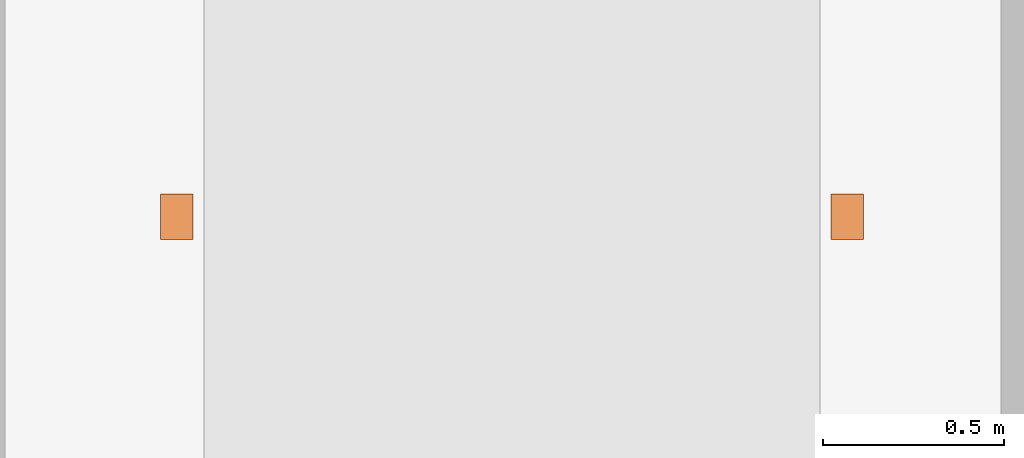
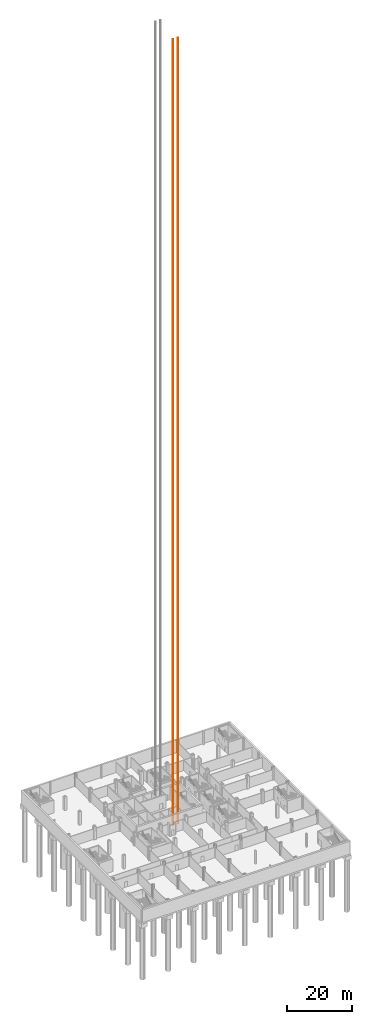
# One storey, part 27 of 28: 1 proxy.
"""IFC4 building model written with IfcOpenShell, lengths in metres."""

from ifc_helpers import new_model, si_unit, direction, frame, frame_2d, origin, place, context, subcontext, project, spatial, rectangle, extrude, material, type_object, element, save


model = new_model("IFC4")

# Units and contexts
model_context = context("Model", 3, precision=1e-05, world=origin(), true_north=direction((0.0, 1.0)))
body_context = subcontext(model_context, "Body", "Model", "MODEL_VIEW")
ifc_project = project(units=[si_unit("LENGTHUNIT", "METRE"), si_unit("AREAUNIT", "SQUARE_METRE"), si_unit("VOLUMEUNIT", "CUBIC_METRE"), si_unit("PLANEANGLEUNIT", "RADIAN"), si_unit("MASSUNIT", "GRAM", prefix="KILO")], contexts=[model_context])

# Site, building, storey
site_placement = place(None, origin())
site = spatial("IfcSite", under=ifc_project, at=site_placement, CompositionType="ELEMENT")
building_placement = place(site_placement, origin())
building = spatial("IfcBuilding", under=site, at=building_placement, Name="Loomwork Tower", CompositionType="ELEMENT")
storey_placement = place(building_placement, frame((0.0, 0.0, -10.5)))
storey = spatial("IfcBuildingStorey", under=building, at=storey_placement, Name="B2", CompositionType="ELEMENT", Elevation=-10.5)

# Proxy
ifc_material = material(Name="Steel guide rails", Category="steel")
building_element_proxy_type = type_object("IfcBuildingElementProxyType", Name="Lift guide rail frame", PredefinedType="USERDEFINED", material=ifc_material)
proxy_placement = place(storey_placement, frame((25.5, 12.60009765625, 0.0), z_axis=(0.0, 0.0, 1.0), x_axis=(1.0, 0.0, 0.0)))
element("IfcBuildingElementProxy", 1, at=proxy_placement, inside=storey, type_object=building_element_proxy_type, Name="Lift guide rail frame LF1", ObjectType="LIFT GUIDE RAIL FRAME", PredefinedType="USERDEFINED", context=body_context, shape_type="SweptSolid", body=[
    extrude(rectangle(XDim=0.090087890625, YDim=0.125, at=frame_2d((-0.925048828125, 0.0))), origin(), (0.0, 0.0, 1.0), 292.699951171875),
    extrude(rectangle(XDim=0.090087890625, YDim=0.125, at=frame_2d((0.925048828125, 0.0))), origin(), (0.0, 0.0, 1.0), 292.699951171875),
])

save(model, "model.ifc")
